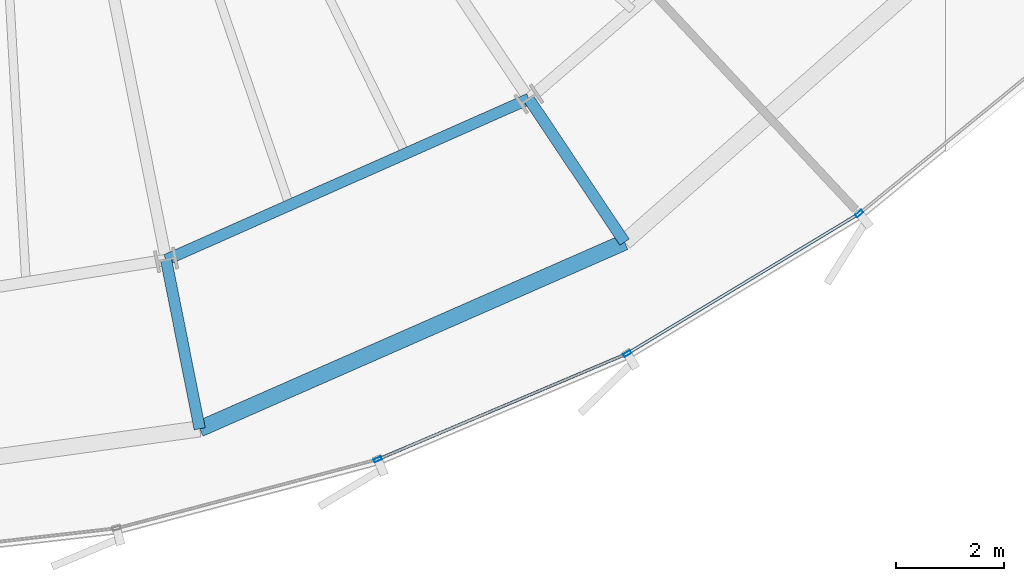
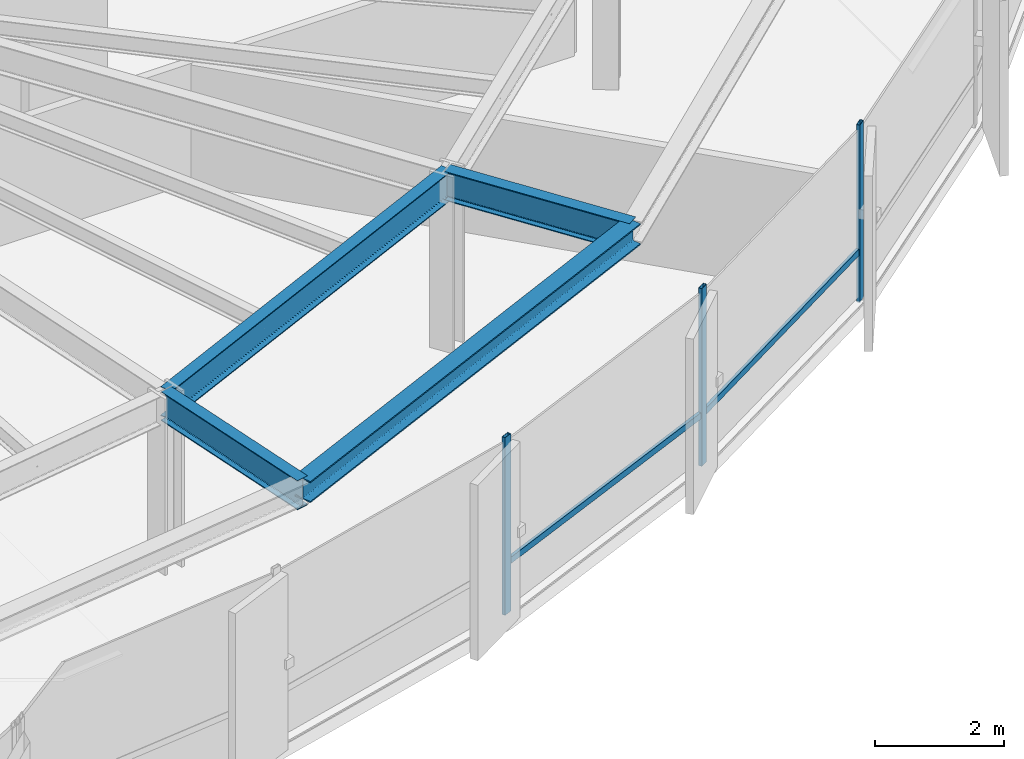
# One storey, part 12 of 33: 5 members, 4 beams, 1 element without a shape of its own.
"""IFC4 building model written with IfcOpenShell, lengths in metres."""

from ifc_helpers import new_model, si_unit, direction, frame, origin, origin_2d, place, context, subcontext, project, spatial, hollow_rectangle, i_section, extrude, source, transform, mapped, material, layer, layer_set, material_profile, profile_set, type_object, element, aggregate, save


model = new_model("IFC4")

# Units and contexts
model_context = context("Model", 3, precision=1e-05, world=origin(), true_north=direction((0.0, 1.0)))
body_context = subcontext(model_context, "Body", "Model", "MODEL_VIEW")
ifc_project = project(units=[si_unit("LENGTHUNIT", "METRE"), si_unit("AREAUNIT", "SQUARE_METRE"), si_unit("VOLUMEUNIT", "CUBIC_METRE"), si_unit("PLANEANGLEUNIT", "RADIAN"), si_unit("MASSUNIT", "GRAM", prefix="KILO"), si_unit("THERMODYNAMICTEMPERATUREUNIT", "KELVIN")], contexts=[model_context])

# Site, building, storey
site_placement = place(None, origin())
site = spatial("IfcSite", under=ifc_project, at=site_placement, CompositionType="ELEMENT")
building_placement = place(site_placement, origin())
building = spatial("IfcBuilding", under=site, at=building_placement, Name="Kethvar Cultural Tower", CompositionType="ELEMENT")
storey_placement = place(building_placement, frame((0.0, 0.0, 110.800048828125)))
storey = spatial("IfcBuildingStorey", under=building, at=storey_placement, Name="L27", CompositionType="ELEMENT", Elevation=110.800048828125)

# Beams
ifc_material_1 = material(Name="Steel S355J2", Category="steel")
ifc_material_profile_1 = material_profile(ifc_material_1, i_section(OverallWidth=0.2099609375, OverallDepth=0.550048828125, WebThickness=0.010986328125, FlangeThickness=0.01708984375, FilletRadius=0.02392578125, at=origin_2d()), Name="Steel S355J2 — IPE550")
ifc_profile_set_1 = profile_set([ifc_material_profile_1], Name="Steel S355J2 — IPE550")
beam_type_1 = type_object("IfcBeamType", Name="BM-IPE550", PredefinedType="BEAM", material=ifc_profile_set_1)
shared_shape_1 = source(origin(), body_context, "Body", "SweptSolid", [
    extrude(i_section(OverallWidth=0.2099609375, OverallDepth=0.550048828125, WebThickness=0.010986328125, FlangeThickness=0.01708984375, FilletRadius=0.02392578125, at=origin_2d()), origin(), (0.0, 0.0, 1.0), 3.199951171875),
])
beam_1_placement = place(storey_placement, frame((57.241943359375, 12.17236328125, 3.072998046875), z_axis=(0.555580212716, -0.831462943996, 0.0), x_axis=(0.831462943996, 0.555580212716, 0.0)))
element("IfcBeam", 1, at=beam_1_placement, inside=storey, type_object=beam_type_1, Name="L27 Perimeter Cantilever Beam RC-14", PredefinedType="BEAM", context=body_context, shape_type="MappedRepresentation", body=[
    mapped(shared_shape_1, transform((0.0, 0.0, 0.0), scale=1.0)),
])
shared_shape_2 = source(origin(), body_context, "Body", "SweptSolid", [
    extrude(i_section(OverallWidth=0.2099609375, OverallDepth=0.550048828125, WebThickness=0.010986328125, FlangeThickness=0.01708984375, FilletRadius=0.02392578125, at=origin_2d()), origin(), (0.0, 0.0, 1.0), 3.2001953125),
])
beam_2_placement = place(storey_placement, frame((50.50341796875, 9.182373046875, 3.072998046875), z_axis=(0.195074368086, -0.980788453702, 0.0), x_axis=(0.980788453702, 0.195074368086, 0.0)))
element("IfcBeam", 2, at=beam_2_placement, inside=storey, type_object=beam_type_1, Name="L27 Perimeter Cantilever Beam RC-13", PredefinedType="BEAM", context=body_context, shape_type="MappedRepresentation", body=[
    mapped(shared_shape_2, transform((0.0, 0.0, 0.0), scale=1.0)),
])
shared_shape_3 = source(origin(), body_context, "Body", "SweptSolid", [
    extrude(i_section(OverallWidth=0.2099609375, OverallDepth=0.550048828125, WebThickness=0.010986328125, FlangeThickness=0.01708984375, FilletRadius=0.02392578125, at=origin_2d()), origin(), (0.0, 0.0, 1.0), 7.3720703125),
])
beam_3_placement = place(storey_placement, frame((50.50341796875, 9.182373046875, 3.072998046875), z_axis=(0.914058560918, 0.405582232367, 0.0), x_axis=(-0.405582232367, 0.914058560918, 0.0)))
element("IfcBeam", 3, at=beam_3_placement, inside=storey, type_object=beam_type_1, Name="L27 Column Ring Tie Beam CR-13", PredefinedType="BEAM", context=body_context, shape_type="MappedRepresentation", body=[
    mapped(shared_shape_3, transform((0.0, 0.0, 0.0), scale=1.0)),
])
ifc_material_profile_2 = material_profile(ifc_material_1, i_section(OverallWidth=0.300048828125, OverallDepth=0.39990234375, WebThickness=0.013427734375, FlangeThickness=0.02392578125, FilletRadius=0.027099609375, at=origin_2d()), Name="Steel S355J2 — HEB400")
ifc_profile_set_2 = profile_set([ifc_material_profile_2], Name="Steel S355J2 — HEB400")
beam_type_2 = type_object("IfcBeamType", Name="BM-SP400", PredefinedType="SPANDREL", material=ifc_profile_set_2)
shared_shape_4 = source(origin(), body_context, "Body", "SweptSolid", [
    extrude(i_section(OverallWidth=0.300048828125, OverallDepth=0.39990234375, WebThickness=0.013427734375, FlangeThickness=0.02392578125, FilletRadius=0.027099609375, at=origin_2d()), origin(), (0.0, 0.0, 1.0), 8.620361328125),
])
beam_4_placement = place(storey_placement, frame((51.127685546875, 6.043701171875, 3.14794921875), z_axis=(0.915507442902, 0.402301034041, 0.0), x_axis=(-0.402301034041, 0.915507442902, 0.0)))
element("IfcBeam", 4, at=beam_4_placement, inside=storey, type_object=beam_type_2, Name="L27 Perimeter Spandrel Beam SP-13", PredefinedType="SPANDREL", context=body_context, shape_type="MappedRepresentation", body=[
    mapped(shared_shape_4, transform((0.0, 0.0, 0.0), scale=1.0)),
])

# Curtain wall, members
ifc_material_2 = material(Name="Aluminium 6063-T6", Category="aluminium")
ifc_layer = layer(ifc_material_2, 0.179931640625, Name="Aluminium 6063-T6", Category="aluminium")
ifc_layer_set = layer_set([ifc_layer], Name="Aluminium 6063-T6 (180 mm)")
curtain_wall_type = type_object("IfcCurtainWallType", Name="CW-SYS-03-Z2", PredefinedType="NOTDEFINED", material=ifc_layer_set)
curtain_wall_placement = place(storey_placement, origin())
curtain_wall = element("IfcCurtainWall", 5, at=curtain_wall_placement, inside=storey, type_object=curtain_wall_type, Name="L27 Curtain Wall Run 05", PredefinedType="NOTDEFINED")
ifc_material_profile_3 = material_profile(ifc_material_2, hollow_rectangle(XDim=0.06005859375, YDim=0.14990234375, WallThickness=0.0048828125, at=origin_2d()), Name="Aluminium 6063-T6 — RHS150x60x5")
ifc_profile_set_3 = profile_set([ifc_material_profile_3], Name="Aluminium 6063-T6 — RHS150x60x5")
member_type_1 = type_object("IfcMemberType", Name="CW-SYS-03-Z2-MUL", PredefinedType="MULLION", material=ifc_profile_set_3)
shared_shape_5 = source(origin(), body_context, "Body", "SweptSolid", [
    extrude(hollow_rectangle(XDim=0.06005859375, YDim=0.14990234375, WallThickness=0.0048828125, at=origin_2d()), origin(), (0.0, 0.0, 1.0), 3.349853515625),
])
member_1_placement = place(storey_placement, frame((54.4345703125, 5.475830078125, 0.0), z_axis=(0.0, 0.0, 1.0), x_axis=(-0.390586531105, 0.920566217998, 0.0)))
member_1 = element("IfcMember", 6, at=member_1_placement, type_object=member_type_1, Name="CW-L27-R05 Mullion 3", PredefinedType="MULLION", context=body_context, shape_type="MappedRepresentation", body=[
    mapped(shared_shape_5, transform((0.0, 0.0, 0.0), scale=1.0)),
])
member_2_placement = place(storey_placement, frame((59.06884765625, 7.44091796875, 0.0), z_axis=(0.0, 0.0, 1.0), x_axis=(-0.516906896682, 0.856041622915, 0.0)))
member_2 = element("IfcMember", 7, at=member_2_placement, type_object=member_type_1, Name="CW-L27-R05 Mullion 4", PredefinedType="MULLION", context=body_context, shape_type="MappedRepresentation", body=[
    mapped(shared_shape_5, transform((0.0, 0.0, 0.0), scale=1.0)),
])
member_3_placement = place(storey_placement, frame((63.37939453125, 10.042236328125, 0.0), z_axis=(0.0, 0.0, 1.0), x_axis=(-0.633245802386, 0.773950743756, 0.0)))
member_3 = element("IfcMember", 8, at=member_3_placement, type_object=member_type_1, Name="CW-L27-R05 Mullion 5", PredefinedType="MULLION", context=body_context, shape_type="MappedRepresentation", body=[
    mapped(shared_shape_5, transform((0.0, 0.0, 0.0), scale=1.0)),
])
ifc_material_profile_4 = material_profile(ifc_material_2, hollow_rectangle(XDim=0.054931640625, YDim=0.1201171875, WallThickness=0.00390625, at=origin_2d()), Name="Aluminium 6063-T6 — RHS120x55x4")
ifc_profile_set_4 = profile_set([ifc_material_profile_4], Name="Aluminium 6063-T6 — RHS120x55x4")
member_type_2 = type_object("IfcMemberType", Name="CW-SYS-03-Z2-TRN", PredefinedType="USERDEFINED", material=ifc_profile_set_4)
shared_shape_6 = source(origin(), body_context, "Body", "SweptSolid", [
    extrude(hollow_rectangle(XDim=0.054931640625, YDim=0.1201171875, WallThickness=0.00390625, at=origin_2d()), origin(), (0.0, 0.0, 1.0), 4.964599609375),
])
member_4_placement = place(storey_placement, frame((59.105712890625, 7.463134765625, 0.949951171875), z_axis=(0.856053360303, 0.516887458074, 0.0), x_axis=(-0.516887458074, 0.856053360303, 0.0)))
member_4 = element("IfcMember", 9, at=member_4_placement, type_object=member_type_2, Name="CW-L27-R05 Transom 4", ObjectType="TRANSOM", PredefinedType="USERDEFINED", context=body_context, shape_type="MappedRepresentation", body=[
    mapped(shared_shape_6, transform((0.0, 0.0, 0.0), scale=1.0)),
])
shared_shape_7 = source(origin(), body_context, "Body", "SweptSolid", [
    extrude(hollow_rectangle(XDim=0.054931640625, YDim=0.1201171875, WallThickness=0.00390625, at=origin_2d()), origin(), (0.0, 0.0, 1.0), 4.963623046875),
])
member_5_placement = place(storey_placement, frame((54.474365234375, 5.49267578125, 0.949951171875), z_axis=(0.920566240649, 0.390586477719, 0.0), x_axis=(-0.390586477719, 0.920566240649, 0.0)))
member_5 = element("IfcMember", 10, at=member_5_placement, type_object=member_type_2, Name="CW-L27-R05 Transom 3", ObjectType="TRANSOM", PredefinedType="USERDEFINED", context=body_context, shape_type="MappedRepresentation", body=[
    mapped(shared_shape_7, transform((0.0, 0.0, 0.0), scale=1.0)),
])
aggregate(curtain_wall, [member_1, member_2, member_3, member_5, member_4])

save(model, "model.ifc")
